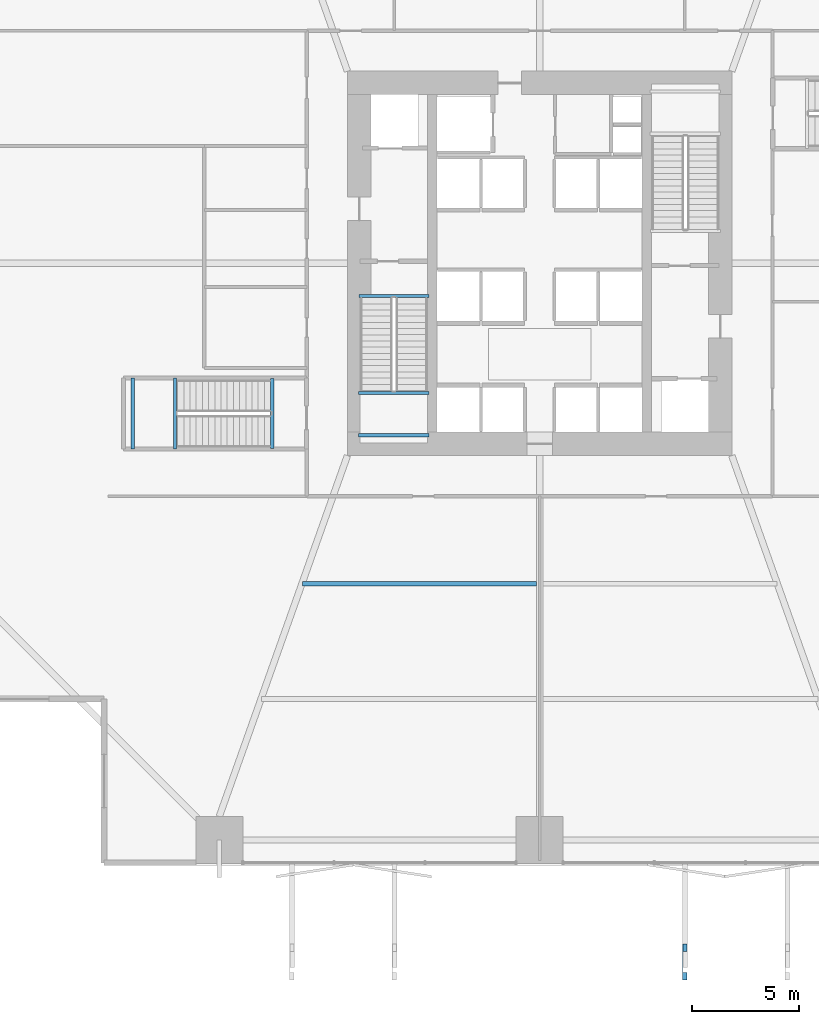
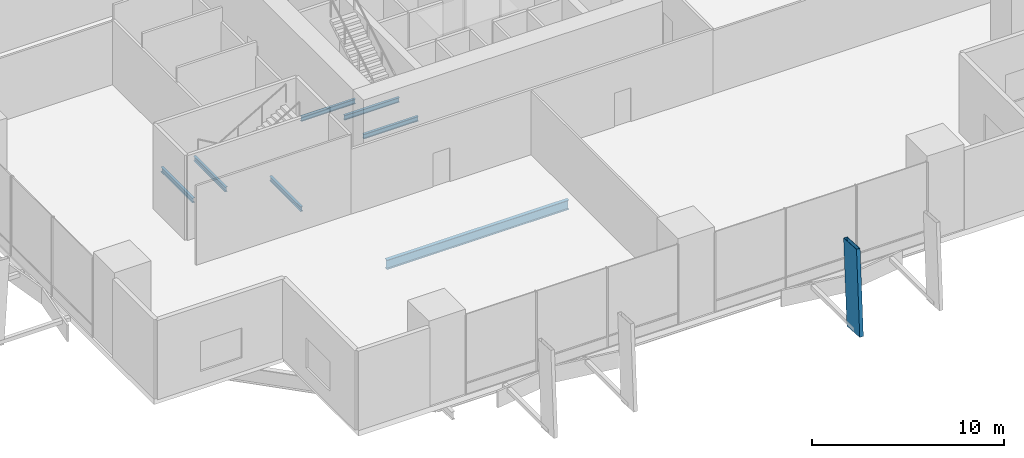
# One storey, part 5 of 24: 7 beams, 1 member.
"""IFC4 building model written with IfcOpenShell, lengths in metres."""

from ifc_helpers import new_model, si_unit, direction, frame, origin, origin_2d, place, context, subcontext, project, spatial, hollow_rectangle, i_section, extrude, material, material_profile, profile_set, type_object, element, save


model = new_model("IFC4")

# Units and contexts
model_context = context("Model", 3, precision=1e-05, world=origin(), true_north=direction((0.0, 1.0)))
body_context = subcontext(model_context, "Body", "Model", "MODEL_VIEW")
ifc_project = project(units=[si_unit("LENGTHUNIT", "METRE"), si_unit("AREAUNIT", "SQUARE_METRE"), si_unit("VOLUMEUNIT", "CUBIC_METRE"), si_unit("PLANEANGLEUNIT", "RADIAN"), si_unit("MASSUNIT", "GRAM", prefix="KILO")], contexts=[model_context])

# Site, building, storey
site_placement = place(None, origin())
site = spatial("IfcSite", under=ifc_project, at=site_placement, CompositionType="ELEMENT")
building_placement = place(site_placement, origin())
building = spatial("IfcBuilding", under=site, at=building_placement, Name="Belovzor Exchange Tower", CompositionType="ELEMENT")
storey_placement = place(building_placement, frame((0.0, 0.0, 8.39990234375)))
storey = spatial("IfcBuildingStorey", under=building, at=storey_placement, Name="L02", CompositionType="ELEMENT", Elevation=8.39990234375)

# Member
ifc_material_1 = material(Name="Extruded Architectural Terracotta on Steel S355 Carrier", Category="masonry")
ifc_material_profile_1 = material_profile(ifc_material_1, hollow_rectangle(XDim=0.219970703125, YDim=1.35009765625, WallThickness=0.013916015625, at=origin_2d()))
ifc_profile_set_1 = profile_set([ifc_material_profile_1], Name="Extruded Architectural Terracotta on Steel S355 Carrier")
member_type = type_object("IfcMemberType", Name="Base Arc Sweeping Terracotta Pylon Fin 1450", PredefinedType="USERDEFINED", material=ifc_profile_set_1)
member_placement = place(storey_placement, frame((35.60009765625, -4.0810546875, -0.349853515625), z_axis=(0.0, 0.063035616034, 0.998011278048), x_axis=(-1.0, 0.0, 0.0)))
element("IfcMember", 1, at=member_placement, inside=storey, type_object=member_type, Name="FIN-TC145 Terracotta Facade Fin L02 S3", ObjectType="FIN", PredefinedType="USERDEFINED", context=body_context, shape_type="SweptSolid", body=[
    extrude(hollow_rectangle(XDim=0.219970703125, YDim=1.35009765625, WallThickness=0.013916015625, at=origin_2d()), origin(), (0.0, 0.0, 1.0), 5.41064453125),
])

# Beams
ifc_material_2 = material(Name="Steel S355", Category="steel")
ifc_material_profile_2 = material_profile(ifc_material_2, i_section(OverallWidth=0.219970703125, OverallDepth=0.60009765625, WebThickness=0.011962890625, FlangeThickness=0.01904296875, at=origin_2d()))
ifc_profile_set_2 = profile_set([ifc_material_profile_2], Name="Steel S355")
beam_type_1 = type_object("IfcBeamType", Name="Podium Secondary Composite Floor Beam IPE 600", PredefinedType="BEAM", material=ifc_profile_set_2)
beam_1_placement = place(storey_placement, frame((17.68994140625, 13.800048828125, -0.64990234375), z_axis=(1.0, 0.0, 0.0), x_axis=(0.0, 1.0, 0.0)))
element("IfcBeam", 2, at=beam_1_placement, inside=storey, type_object=beam_type_1, Name="FB-600 Podium Secondary Composite Floor Beam IPE 600", PredefinedType="BEAM", context=body_context, shape_type="SweptSolid", body=[
    extrude(i_section(OverallWidth=0.219970703125, OverallDepth=0.60009765625, WebThickness=0.011962890625, FlangeThickness=0.01904296875, at=origin_2d()), origin(), (0.0, 0.0, 1.0), 10.9599609375),
])
ifc_material_3 = material(Name="Steel S355", Category="steel")
ifc_material_profile_3 = material_profile(ifc_material_3, i_section(OverallWidth=0.14990234375, OverallDepth=0.300048828125, WebThickness=0.007080078125, FlangeThickness=0.0107421875, at=origin_2d()))
ifc_profile_set_3 = profile_set([ifc_material_profile_3], Name="Steel S355")
beam_type_2 = type_object("IfcBeamType", Name="Secondary Trim Floor Joist IPE 300", PredefinedType="BEAM", material=ifc_profile_set_3)
for number, where, z_axis, x_axis, name in (
    (3, (20.320068359375, 22.72998046875, 2.35009765625), (1.0, 0.0, 0.0), (0.0, 1.0, 0.0), "FJ-300 Secondary Trim Floor Joist IPE 300"),
    (4, (20.320068359375, 20.75, 2.35009765625), (1.0, 0.0, 0.0), (0.0, 1.0, 0.0), "FJ-300 Secondary Trim Floor Joist IPE 300"),
):
    element("IfcBeam", number, at=place(storey_placement, frame(where, z_axis=z_axis, x_axis=x_axis)), inside=storey, type_object=beam_type_2, Name=name, PredefinedType="BEAM", context=body_context, shape_type="SweptSolid", body=[
        extrude(i_section(OverallWidth=0.14990234375, OverallDepth=0.300048828125, WebThickness=0.007080078125, FlangeThickness=0.0107421875, at=origin_2d()), origin(), (0.0, 0.0, 1.0), 3.309814453125),
    ])
beam_2_placement = place(storey_placement, frame((20.340087890625, 27.280029296875, -0.5), z_axis=(1.0, 0.0, 0.0), x_axis=(0.0, 1.0, 0.0)))
element("IfcBeam", 5, at=beam_2_placement, inside=storey, type_object=beam_type_2, Name="FJ-300 Secondary Trim Floor Joist IPE 300", PredefinedType="BEAM", context=body_context, shape_type="SweptSolid", body=[
    extrude(i_section(OverallWidth=0.14990234375, OverallDepth=0.300048828125, WebThickness=0.007080078125, FlangeThickness=0.0107421875, at=origin_2d()), origin(), (0.0, 0.0, 1.0), 3.27001953125),
])
for number, where, z_axis, x_axis, name in (
    (6, (11.72998046875, 23.429931640625, 2.35009765625), (0.0, -1.0, 0.0), (1.0, 0.0, 0.0), "FJ-300 Secondary Trim Floor Joist IPE 300"),
    (7, (9.75, 23.429931640625, 2.35009765625), (0.0, -1.0, 0.0), (1.0, 0.0, 0.0), "FJ-300 Secondary Trim Floor Joist IPE 300"),
):
    element("IfcBeam", number, at=place(storey_placement, frame(where, z_axis=z_axis, x_axis=x_axis)), inside=storey, type_object=beam_type_2, Name=name, PredefinedType="BEAM", context=body_context, shape_type="SweptSolid", body=[
        extrude(i_section(OverallWidth=0.14990234375, OverallDepth=0.300048828125, WebThickness=0.007080078125, FlangeThickness=0.0107421875, at=origin_2d()), origin(), (0.0, 0.0, 1.0), 3.309814453125),
    ])
beam_3_placement = place(storey_placement, frame((16.280029296875, 23.409912109375, -0.5), z_axis=(0.0, -1.0, 0.0), x_axis=(1.0, 0.0, 0.0)))
element("IfcBeam", 8, at=beam_3_placement, inside=storey, type_object=beam_type_2, Name="FJ-300 Secondary Trim Floor Joist IPE 300", PredefinedType="BEAM", context=body_context, shape_type="SweptSolid", body=[
    extrude(i_section(OverallWidth=0.14990234375, OverallDepth=0.300048828125, WebThickness=0.007080078125, FlangeThickness=0.0107421875, at=origin_2d()), origin(), (0.0, 0.0, 1.0), 3.27001953125),
])

save(model, "model.ifc")
